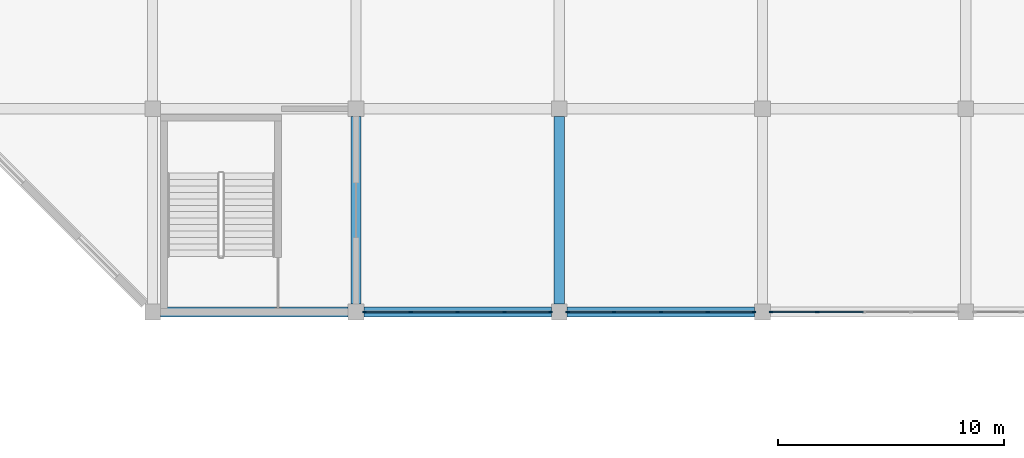
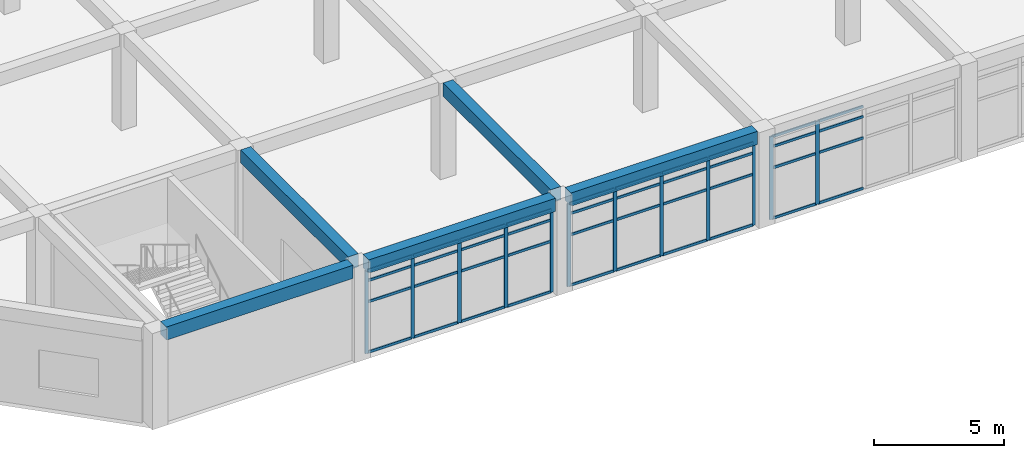
# One storey, part 10 of 42: 52 members, 5 beams, 3 elements without a shape of their own.
"""IFC4 building model written with IfcOpenShell, lengths in metres."""

from ifc_helpers import new_model, si_unit, direction, frame, origin, origin_2d, place, context, subcontext, project, spatial, rectangle, extrude, material, layer, layer_set, material_profile, profile_set, type_object, element, aggregate, save


model = new_model("IFC4")

# Units and contexts
model_context = context("Model", 3, precision=1e-05, world=origin(), true_north=direction((0.0, 1.0)))
body_context = subcontext(model_context, "Body", "Model", "MODEL_VIEW")
ifc_project = project(units=[si_unit("LENGTHUNIT", "METRE"), si_unit("AREAUNIT", "SQUARE_METRE"), si_unit("VOLUMEUNIT", "CUBIC_METRE"), si_unit("PLANEANGLEUNIT", "RADIAN"), si_unit("MASSUNIT", "GRAM", prefix="KILO")], contexts=[model_context])

# Site, building, storey
site_placement = place(None, origin())
site = spatial("IfcSite", under=ifc_project, at=site_placement, CompositionType="ELEMENT")
building_placement = place(site_placement, origin())
building = spatial("IfcBuilding", under=site, at=building_placement, Name="Dhurran Vertical Campus", CompositionType="ELEMENT")
storey_placement = place(building_placement, frame((0.0, 0.0, 6.0)))
storey = spatial("IfcBuildingStorey", under=building, at=storey_placement, Name="L01", CompositionType="ELEMENT", Elevation=6.0)

# Curtain wall, members
ifc_material_1 = material(Name="Aluminium", Category="aluminium")
ifc_layer = layer(ifc_material_1, 0.159912109375)
ifc_layer_set = layer_set([ifc_layer], Name="Aluminium")
curtain_wall_type = type_object("IfcCurtainWallType", Name="hl-curtain wall system", PredefinedType="NOTDEFINED", material=ifc_layer_set)
curtain_wall_1_placement = place(storey_placement, origin())
curtain_wall_1 = element("IfcCurtainWall", 1, at=curtain_wall_1_placement, inside=storey, type_object=curtain_wall_type, Name="Hall curtain wall L01-05", PredefinedType="NOTDEFINED")
ifc_material_2 = material(Name="Aluminium", Category="aluminium")
ifc_material_profile_1 = material_profile(ifc_material_2, rectangle(XDim=0.06005859375, YDim=0.159912109375, at=origin_2d()), Name="hl-cw mullion 60x160")
ifc_profile_set_1 = profile_set([ifc_material_profile_1], Name="Aluminium")
member_type_1 = type_object("IfcMemberType", Name="hl-cw mullion 60x160", PredefinedType="MULLION", material=ifc_profile_set_1)
member_1_placement = place(storey_placement, frame((79.8798828125, -27.0, 0.0), z_axis=(0.0, 0.0, 1.0), x_axis=(0.0, 1.0, 0.0)))
member_1 = element("IfcMember", 2, at=member_1_placement, type_object=member_type_1, Name="HCW mullion 1", PredefinedType="MULLION", context=body_context, shape_type="SweptSolid", body=[
    extrude(rectangle(XDim=0.06005859375, YDim=0.159912109375, at=origin_2d()), origin(), (0.0, 0.0, 1.0), 3.89990234375),
])
member_2_placement = place(storey_placement, frame((81.925048828125, -27.0, 0.0), z_axis=(0.0, 0.0, 1.0), x_axis=(0.0, 1.0, 0.0)))
member_2 = element("IfcMember", 3, at=member_2_placement, type_object=member_type_1, Name="HCW mullion 2", PredefinedType="MULLION", context=body_context, shape_type="SweptSolid", body=[
    extrude(rectangle(XDim=0.06005859375, YDim=0.159912109375, at=origin_2d()), origin(), (0.0, 0.0, 1.0), 3.89990234375),
])
member_3_placement = place(storey_placement, frame((84.0, -27.0, 0.0), z_axis=(0.0, 0.0, 1.0), x_axis=(0.0, 1.0, 0.0)))
member_3 = element("IfcMember", 4, at=member_3_placement, type_object=member_type_1, Name="HCW mullion 3", PredefinedType="MULLION", context=body_context, shape_type="SweptSolid", body=[
    extrude(rectangle(XDim=0.06005859375, YDim=0.159912109375, at=origin_2d()), origin(), (0.0, 0.0, 1.0), 3.89990234375),
])
member_4_placement = place(storey_placement, frame((86.074951171875, -27.0, 0.0), z_axis=(0.0, 0.0, 1.0), x_axis=(0.0, 1.0, 0.0)))
member_4 = element("IfcMember", 5, at=member_4_placement, type_object=member_type_1, Name="HCW mullion 4", PredefinedType="MULLION", context=body_context, shape_type="SweptSolid", body=[
    extrude(rectangle(XDim=0.06005859375, YDim=0.159912109375, at=origin_2d()), origin(), (0.0, 0.0, 1.0), 3.89990234375),
])
member_5_placement = place(storey_placement, frame((88.1201171875, -27.0, 0.0), z_axis=(0.0, 0.0, 1.0), x_axis=(0.0, 1.0, 0.0)))
member_5 = element("IfcMember", 6, at=member_5_placement, type_object=member_type_1, Name="HCW mullion 5", PredefinedType="MULLION", context=body_context, shape_type="SweptSolid", body=[
    extrude(rectangle(XDim=0.06005859375, YDim=0.159912109375, at=origin_2d()), origin(), (0.0, 0.0, 1.0), 3.89990234375),
])

curtain_wall_2_placement = place(storey_placement, origin())
curtain_wall_2 = element("IfcCurtainWall", 7, at=curtain_wall_2_placement, inside=storey, type_object=curtain_wall_type, Name="Hall curtain wall L01-06", PredefinedType="NOTDEFINED")
member_6_placement = place(storey_placement, frame((88.8798828125, -27.0, 0.0), z_axis=(0.0, 0.0, 1.0), x_axis=(0.0, 1.0, 0.0)))
member_6 = element("IfcMember", 8, at=member_6_placement, type_object=member_type_1, Name="HCW mullion 1", PredefinedType="MULLION", context=body_context, shape_type="SweptSolid", body=[
    extrude(rectangle(XDim=0.06005859375, YDim=0.159912109375, at=origin_2d()), origin(), (0.0, 0.0, 1.0), 3.89990234375),
])
member_7_placement = place(storey_placement, frame((90.925048828125, -27.0, 0.0), z_axis=(0.0, 0.0, 1.0), x_axis=(0.0, 1.0, 0.0)))
member_7 = element("IfcMember", 9, at=member_7_placement, type_object=member_type_1, Name="HCW mullion 2", PredefinedType="MULLION", context=body_context, shape_type="SweptSolid", body=[
    extrude(rectangle(XDim=0.06005859375, YDim=0.159912109375, at=origin_2d()), origin(), (0.0, 0.0, 1.0), 3.89990234375),
])
member_8_placement = place(storey_placement, frame((93.0, -27.0, 0.0), z_axis=(0.0, 0.0, 1.0), x_axis=(0.0, 1.0, 0.0)))
member_8 = element("IfcMember", 10, at=member_8_placement, type_object=member_type_1, Name="HCW mullion 3", PredefinedType="MULLION", context=body_context, shape_type="SweptSolid", body=[
    extrude(rectangle(XDim=0.06005859375, YDim=0.159912109375, at=origin_2d()), origin(), (0.0, 0.0, 1.0), 3.89990234375),
])
member_9_placement = place(storey_placement, frame((95.074951171875, -27.0, 0.0), z_axis=(0.0, 0.0, 1.0), x_axis=(0.0, 1.0, 0.0)))
member_9 = element("IfcMember", 11, at=member_9_placement, type_object=member_type_1, Name="HCW mullion 4", PredefinedType="MULLION", context=body_context, shape_type="SweptSolid", body=[
    extrude(rectangle(XDim=0.06005859375, YDim=0.159912109375, at=origin_2d()), origin(), (0.0, 0.0, 1.0), 3.89990234375),
])
member_10_placement = place(storey_placement, frame((97.1201171875, -27.0, 0.0), z_axis=(0.0, 0.0, 1.0), x_axis=(0.0, 1.0, 0.0)))
member_10 = element("IfcMember", 12, at=member_10_placement, type_object=member_type_1, Name="HCW mullion 5", PredefinedType="MULLION", context=body_context, shape_type="SweptSolid", body=[
    extrude(rectangle(XDim=0.06005859375, YDim=0.159912109375, at=origin_2d()), origin(), (0.0, 0.0, 1.0), 3.89990234375),
])

curtain_wall_3_placement = place(storey_placement, origin())
curtain_wall_3 = element("IfcCurtainWall", 13, at=curtain_wall_3_placement, inside=storey, type_object=curtain_wall_type, Name="Hall curtain wall L01-07", PredefinedType="NOTDEFINED")
member_11_placement = place(storey_placement, frame((97.8798828125, -27.0, 0.0), z_axis=(0.0, 0.0, 1.0), x_axis=(0.0, 1.0, 0.0)))
member_11 = element("IfcMember", 14, at=member_11_placement, type_object=member_type_1, Name="HCW mullion 1", PredefinedType="MULLION", context=body_context, shape_type="SweptSolid", body=[
    extrude(rectangle(XDim=0.06005859375, YDim=0.159912109375, at=origin_2d()), origin(), (0.0, 0.0, 1.0), 3.89990234375),
])
member_12_placement = place(storey_placement, frame((99.925048828125, -27.0, 0.0), z_axis=(0.0, 0.0, 1.0), x_axis=(0.0, 1.0, 0.0)))
member_12 = element("IfcMember", 15, at=member_12_placement, type_object=member_type_1, Name="HCW mullion 2", PredefinedType="MULLION", context=body_context, shape_type="SweptSolid", body=[
    extrude(rectangle(XDim=0.06005859375, YDim=0.159912109375, at=origin_2d()), origin(), (0.0, 0.0, 1.0), 3.89990234375),
])

# Member
ifc_material_3 = material(Name="Aluminium", Category="aluminium")
ifc_material_profile_2 = material_profile(ifc_material_3, rectangle(XDim=0.06005859375, YDim=0.1201171875, at=origin_2d()), Name="hl-cw transom 60x120")
ifc_profile_set_2 = profile_set([ifc_material_profile_2], Name="Aluminium")
member_type_2 = type_object("IfcMemberType", Name="hl-cw transom 60x120", PredefinedType="USERDEFINED", material=ifc_profile_set_2)
member_13_placement = place(storey_placement, frame((79.909912109375, -27.0, 0.030029296875), z_axis=(1.0, 0.0, 0.0), x_axis=(0.0, 1.0, 0.0)))
member_13 = element("IfcMember", 16, at=member_13_placement, type_object=member_type_2, Name="HCW transom 1.1", ObjectType="TRANSOM", PredefinedType="USERDEFINED", context=body_context, shape_type="SweptSolid", body=[
    extrude(rectangle(XDim=0.06005859375, YDim=0.1201171875, at=origin_2d()), origin(), (0.0, 0.0, 1.0), 1.985107421875),
])

member_14_placement = place(storey_placement, frame((79.909912109375, -27.0, 2.39990234375), z_axis=(1.0, 0.0, 0.0), x_axis=(0.0, 1.0, 0.0)))
member_14 = element("IfcMember", 17, at=member_14_placement, type_object=member_type_2, Name="HCW transom 1.2", ObjectType="TRANSOM", PredefinedType="USERDEFINED", context=body_context, shape_type="SweptSolid", body=[
    extrude(rectangle(XDim=0.06005859375, YDim=0.1201171875, at=origin_2d()), origin(), (0.0, 0.0, 1.0), 1.985107421875),
])

member_15_placement = place(storey_placement, frame((79.909912109375, -27.0, 3.39990234375), z_axis=(1.0, 0.0, 0.0), x_axis=(0.0, 1.0, 0.0)))
member_15 = element("IfcMember", 18, at=member_15_placement, type_object=member_type_2, Name="HCW transom 1.3", ObjectType="TRANSOM", PredefinedType="USERDEFINED", context=body_context, shape_type="SweptSolid", body=[
    extrude(rectangle(XDim=0.06005859375, YDim=0.1201171875, at=origin_2d()), origin(), (0.0, 0.0, 1.0), 1.985107421875),
])

member_16_placement = place(storey_placement, frame((79.909912109375, -27.0, 3.8701171875), z_axis=(1.0, 0.0, 0.0), x_axis=(0.0, 1.0, 0.0)))
member_16 = element("IfcMember", 19, at=member_16_placement, type_object=member_type_2, Name="HCW transom 1.4", ObjectType="TRANSOM", PredefinedType="USERDEFINED", context=body_context, shape_type="SweptSolid", body=[
    extrude(rectangle(XDim=0.06005859375, YDim=0.1201171875, at=origin_2d()), origin(), (0.0, 0.0, 1.0), 1.985107421875),
])

member_17_placement = place(storey_placement, frame((81.955078125, -27.0, 0.030029296875), z_axis=(1.0, 0.0, 0.0), x_axis=(0.0, 1.0, 0.0)))
member_17 = element("IfcMember", 20, at=member_17_placement, type_object=member_type_2, Name="HCW transom 2.1", ObjectType="TRANSOM", PredefinedType="USERDEFINED", context=body_context, shape_type="SweptSolid", body=[
    extrude(rectangle(XDim=0.06005859375, YDim=0.1201171875, at=origin_2d()), origin(), (0.0, 0.0, 1.0), 2.014892578125),
])

member_18_placement = place(storey_placement, frame((81.955078125, -27.0, 2.39990234375), z_axis=(1.0, 0.0, 0.0), x_axis=(0.0, 1.0, 0.0)))
member_18 = element("IfcMember", 21, at=member_18_placement, type_object=member_type_2, Name="HCW transom 2.2", ObjectType="TRANSOM", PredefinedType="USERDEFINED", context=body_context, shape_type="SweptSolid", body=[
    extrude(rectangle(XDim=0.06005859375, YDim=0.1201171875, at=origin_2d()), origin(), (0.0, 0.0, 1.0), 2.014892578125),
])

member_19_placement = place(storey_placement, frame((81.955078125, -27.0, 3.39990234375), z_axis=(1.0, 0.0, 0.0), x_axis=(0.0, 1.0, 0.0)))
member_19 = element("IfcMember", 22, at=member_19_placement, type_object=member_type_2, Name="HCW transom 2.3", ObjectType="TRANSOM", PredefinedType="USERDEFINED", context=body_context, shape_type="SweptSolid", body=[
    extrude(rectangle(XDim=0.06005859375, YDim=0.1201171875, at=origin_2d()), origin(), (0.0, 0.0, 1.0), 2.014892578125),
])

member_20_placement = place(storey_placement, frame((81.955078125, -27.0, 3.8701171875), z_axis=(1.0, 0.0, 0.0), x_axis=(0.0, 1.0, 0.0)))
member_20 = element("IfcMember", 23, at=member_20_placement, type_object=member_type_2, Name="HCW transom 2.4", ObjectType="TRANSOM", PredefinedType="USERDEFINED", context=body_context, shape_type="SweptSolid", body=[
    extrude(rectangle(XDim=0.06005859375, YDim=0.1201171875, at=origin_2d()), origin(), (0.0, 0.0, 1.0), 2.014892578125),
])

member_21_placement = place(storey_placement, frame((84.030029296875, -27.0, 0.030029296875), z_axis=(1.0, 0.0, 0.0), x_axis=(0.0, 1.0, 0.0)))
member_21 = element("IfcMember", 24, at=member_21_placement, type_object=member_type_2, Name="HCW transom 3.1", ObjectType="TRANSOM", PredefinedType="USERDEFINED", context=body_context, shape_type="SweptSolid", body=[
    extrude(rectangle(XDim=0.06005859375, YDim=0.1201171875, at=origin_2d()), origin(), (0.0, 0.0, 1.0), 2.014892578125),
])

member_22_placement = place(storey_placement, frame((84.030029296875, -27.0, 2.39990234375), z_axis=(1.0, 0.0, 0.0), x_axis=(0.0, 1.0, 0.0)))
member_22 = element("IfcMember", 25, at=member_22_placement, type_object=member_type_2, Name="HCW transom 3.2", ObjectType="TRANSOM", PredefinedType="USERDEFINED", context=body_context, shape_type="SweptSolid", body=[
    extrude(rectangle(XDim=0.06005859375, YDim=0.1201171875, at=origin_2d()), origin(), (0.0, 0.0, 1.0), 2.014892578125),
])

member_23_placement = place(storey_placement, frame((84.030029296875, -27.0, 3.39990234375), z_axis=(1.0, 0.0, 0.0), x_axis=(0.0, 1.0, 0.0)))
member_23 = element("IfcMember", 26, at=member_23_placement, type_object=member_type_2, Name="HCW transom 3.3", ObjectType="TRANSOM", PredefinedType="USERDEFINED", context=body_context, shape_type="SweptSolid", body=[
    extrude(rectangle(XDim=0.06005859375, YDim=0.1201171875, at=origin_2d()), origin(), (0.0, 0.0, 1.0), 2.014892578125),
])

member_24_placement = place(storey_placement, frame((84.030029296875, -27.0, 3.8701171875), z_axis=(1.0, 0.0, 0.0), x_axis=(0.0, 1.0, 0.0)))
member_24 = element("IfcMember", 27, at=member_24_placement, type_object=member_type_2, Name="HCW transom 3.4", ObjectType="TRANSOM", PredefinedType="USERDEFINED", context=body_context, shape_type="SweptSolid", body=[
    extrude(rectangle(XDim=0.06005859375, YDim=0.1201171875, at=origin_2d()), origin(), (0.0, 0.0, 1.0), 2.014892578125),
])

member_25_placement = place(storey_placement, frame((86.10498046875, -27.0, 0.030029296875), z_axis=(1.0, 0.0, 0.0), x_axis=(0.0, 1.0, 0.0)))
member_25 = element("IfcMember", 28, at=member_25_placement, type_object=member_type_2, Name="HCW transom 4.1", ObjectType="TRANSOM", PredefinedType="USERDEFINED", context=body_context, shape_type="SweptSolid", body=[
    extrude(rectangle(XDim=0.06005859375, YDim=0.1201171875, at=origin_2d()), origin(), (0.0, 0.0, 1.0), 1.985107421875),
])

member_26_placement = place(storey_placement, frame((86.10498046875, -27.0, 2.39990234375), z_axis=(1.0, 0.0, 0.0), x_axis=(0.0, 1.0, 0.0)))
member_26 = element("IfcMember", 29, at=member_26_placement, type_object=member_type_2, Name="HCW transom 4.2", ObjectType="TRANSOM", PredefinedType="USERDEFINED", context=body_context, shape_type="SweptSolid", body=[
    extrude(rectangle(XDim=0.06005859375, YDim=0.1201171875, at=origin_2d()), origin(), (0.0, 0.0, 1.0), 1.985107421875),
])

member_27_placement = place(storey_placement, frame((86.10498046875, -27.0, 3.39990234375), z_axis=(1.0, 0.0, 0.0), x_axis=(0.0, 1.0, 0.0)))
member_27 = element("IfcMember", 30, at=member_27_placement, type_object=member_type_2, Name="HCW transom 4.3", ObjectType="TRANSOM", PredefinedType="USERDEFINED", context=body_context, shape_type="SweptSolid", body=[
    extrude(rectangle(XDim=0.06005859375, YDim=0.1201171875, at=origin_2d()), origin(), (0.0, 0.0, 1.0), 1.985107421875),
])

member_28_placement = place(storey_placement, frame((86.10498046875, -27.0, 3.8701171875), z_axis=(1.0, 0.0, 0.0), x_axis=(0.0, 1.0, 0.0)))
member_28 = element("IfcMember", 31, at=member_28_placement, type_object=member_type_2, Name="HCW transom 4.4", ObjectType="TRANSOM", PredefinedType="USERDEFINED", context=body_context, shape_type="SweptSolid", body=[
    extrude(rectangle(XDim=0.06005859375, YDim=0.1201171875, at=origin_2d()), origin(), (0.0, 0.0, 1.0), 1.985107421875),
])

aggregate(curtain_wall_1, [member_1, member_2, member_3, member_4, member_5, member_13, member_14, member_15, member_16, member_17, member_18, member_19, member_20, member_21, member_22, member_23, member_24, member_25, member_26, member_27, member_28])

member_29_placement = place(storey_placement, frame((88.909912109375, -27.0, 0.030029296875), z_axis=(1.0, 0.0, 0.0), x_axis=(0.0, 1.0, 0.0)))
member_29 = element("IfcMember", 32, at=member_29_placement, type_object=member_type_2, Name="HCW transom 1.1", ObjectType="TRANSOM", PredefinedType="USERDEFINED", context=body_context, shape_type="SweptSolid", body=[
    extrude(rectangle(XDim=0.06005859375, YDim=0.1201171875, at=origin_2d()), origin(), (0.0, 0.0, 1.0), 1.985107421875),
])

member_30_placement = place(storey_placement, frame((88.909912109375, -27.0, 2.39990234375), z_axis=(1.0, 0.0, 0.0), x_axis=(0.0, 1.0, 0.0)))
member_30 = element("IfcMember", 33, at=member_30_placement, type_object=member_type_2, Name="HCW transom 1.2", ObjectType="TRANSOM", PredefinedType="USERDEFINED", context=body_context, shape_type="SweptSolid", body=[
    extrude(rectangle(XDim=0.06005859375, YDim=0.1201171875, at=origin_2d()), origin(), (0.0, 0.0, 1.0), 1.985107421875),
])

member_31_placement = place(storey_placement, frame((88.909912109375, -27.0, 3.39990234375), z_axis=(1.0, 0.0, 0.0), x_axis=(0.0, 1.0, 0.0)))
member_31 = element("IfcMember", 34, at=member_31_placement, type_object=member_type_2, Name="HCW transom 1.3", ObjectType="TRANSOM", PredefinedType="USERDEFINED", context=body_context, shape_type="SweptSolid", body=[
    extrude(rectangle(XDim=0.06005859375, YDim=0.1201171875, at=origin_2d()), origin(), (0.0, 0.0, 1.0), 1.985107421875),
])

member_32_placement = place(storey_placement, frame((88.909912109375, -27.0, 3.8701171875), z_axis=(1.0, 0.0, 0.0), x_axis=(0.0, 1.0, 0.0)))
member_32 = element("IfcMember", 35, at=member_32_placement, type_object=member_type_2, Name="HCW transom 1.4", ObjectType="TRANSOM", PredefinedType="USERDEFINED", context=body_context, shape_type="SweptSolid", body=[
    extrude(rectangle(XDim=0.06005859375, YDim=0.1201171875, at=origin_2d()), origin(), (0.0, 0.0, 1.0), 1.985107421875),
])

member_33_placement = place(storey_placement, frame((90.955078125, -27.0, 0.030029296875), z_axis=(1.0, 0.0, 0.0), x_axis=(0.0, 1.0, 0.0)))
member_33 = element("IfcMember", 36, at=member_33_placement, type_object=member_type_2, Name="HCW transom 2.1", ObjectType="TRANSOM", PredefinedType="USERDEFINED", context=body_context, shape_type="SweptSolid", body=[
    extrude(rectangle(XDim=0.06005859375, YDim=0.1201171875, at=origin_2d()), origin(), (0.0, 0.0, 1.0), 2.014892578125),
])

member_34_placement = place(storey_placement, frame((90.955078125, -27.0, 2.39990234375), z_axis=(1.0, 0.0, 0.0), x_axis=(0.0, 1.0, 0.0)))
member_34 = element("IfcMember", 37, at=member_34_placement, type_object=member_type_2, Name="HCW transom 2.2", ObjectType="TRANSOM", PredefinedType="USERDEFINED", context=body_context, shape_type="SweptSolid", body=[
    extrude(rectangle(XDim=0.06005859375, YDim=0.1201171875, at=origin_2d()), origin(), (0.0, 0.0, 1.0), 2.014892578125),
])

member_35_placement = place(storey_placement, frame((90.955078125, -27.0, 3.39990234375), z_axis=(1.0, 0.0, 0.0), x_axis=(0.0, 1.0, 0.0)))
member_35 = element("IfcMember", 38, at=member_35_placement, type_object=member_type_2, Name="HCW transom 2.3", ObjectType="TRANSOM", PredefinedType="USERDEFINED", context=body_context, shape_type="SweptSolid", body=[
    extrude(rectangle(XDim=0.06005859375, YDim=0.1201171875, at=origin_2d()), origin(), (0.0, 0.0, 1.0), 2.014892578125),
])

member_36_placement = place(storey_placement, frame((90.955078125, -27.0, 3.8701171875), z_axis=(1.0, 0.0, 0.0), x_axis=(0.0, 1.0, 0.0)))
member_36 = element("IfcMember", 39, at=member_36_placement, type_object=member_type_2, Name="HCW transom 2.4", ObjectType="TRANSOM", PredefinedType="USERDEFINED", context=body_context, shape_type="SweptSolid", body=[
    extrude(rectangle(XDim=0.06005859375, YDim=0.1201171875, at=origin_2d()), origin(), (0.0, 0.0, 1.0), 2.014892578125),
])

member_37_placement = place(storey_placement, frame((93.030029296875, -27.0, 0.030029296875), z_axis=(1.0, 0.0, 0.0), x_axis=(0.0, 1.0, 0.0)))
member_37 = element("IfcMember", 40, at=member_37_placement, type_object=member_type_2, Name="HCW transom 3.1", ObjectType="TRANSOM", PredefinedType="USERDEFINED", context=body_context, shape_type="SweptSolid", body=[
    extrude(rectangle(XDim=0.06005859375, YDim=0.1201171875, at=origin_2d()), origin(), (0.0, 0.0, 1.0), 2.014892578125),
])

member_38_placement = place(storey_placement, frame((93.030029296875, -27.0, 2.39990234375), z_axis=(1.0, 0.0, 0.0), x_axis=(0.0, 1.0, 0.0)))
member_38 = element("IfcMember", 41, at=member_38_placement, type_object=member_type_2, Name="HCW transom 3.2", ObjectType="TRANSOM", PredefinedType="USERDEFINED", context=body_context, shape_type="SweptSolid", body=[
    extrude(rectangle(XDim=0.06005859375, YDim=0.1201171875, at=origin_2d()), origin(), (0.0, 0.0, 1.0), 2.014892578125),
])

member_39_placement = place(storey_placement, frame((93.030029296875, -27.0, 3.39990234375), z_axis=(1.0, 0.0, 0.0), x_axis=(0.0, 1.0, 0.0)))
member_39 = element("IfcMember", 42, at=member_39_placement, type_object=member_type_2, Name="HCW transom 3.3", ObjectType="TRANSOM", PredefinedType="USERDEFINED", context=body_context, shape_type="SweptSolid", body=[
    extrude(rectangle(XDim=0.06005859375, YDim=0.1201171875, at=origin_2d()), origin(), (0.0, 0.0, 1.0), 2.014892578125),
])

member_40_placement = place(storey_placement, frame((93.030029296875, -27.0, 3.8701171875), z_axis=(1.0, 0.0, 0.0), x_axis=(0.0, 1.0, 0.0)))
member_40 = element("IfcMember", 43, at=member_40_placement, type_object=member_type_2, Name="HCW transom 3.4", ObjectType="TRANSOM", PredefinedType="USERDEFINED", context=body_context, shape_type="SweptSolid", body=[
    extrude(rectangle(XDim=0.06005859375, YDim=0.1201171875, at=origin_2d()), origin(), (0.0, 0.0, 1.0), 2.014892578125),
])

member_41_placement = place(storey_placement, frame((95.10498046875, -27.0, 0.030029296875), z_axis=(1.0, 0.0, 0.0), x_axis=(0.0, 1.0, 0.0)))
member_41 = element("IfcMember", 44, at=member_41_placement, type_object=member_type_2, Name="HCW transom 4.1", ObjectType="TRANSOM", PredefinedType="USERDEFINED", context=body_context, shape_type="SweptSolid", body=[
    extrude(rectangle(XDim=0.06005859375, YDim=0.1201171875, at=origin_2d()), origin(), (0.0, 0.0, 1.0), 1.985107421875),
])

member_42_placement = place(storey_placement, frame((95.10498046875, -27.0, 2.39990234375), z_axis=(1.0, 0.0, 0.0), x_axis=(0.0, 1.0, 0.0)))
member_42 = element("IfcMember", 45, at=member_42_placement, type_object=member_type_2, Name="HCW transom 4.2", ObjectType="TRANSOM", PredefinedType="USERDEFINED", context=body_context, shape_type="SweptSolid", body=[
    extrude(rectangle(XDim=0.06005859375, YDim=0.1201171875, at=origin_2d()), origin(), (0.0, 0.0, 1.0), 1.985107421875),
])

member_43_placement = place(storey_placement, frame((95.10498046875, -27.0, 3.39990234375), z_axis=(1.0, 0.0, 0.0), x_axis=(0.0, 1.0, 0.0)))
member_43 = element("IfcMember", 46, at=member_43_placement, type_object=member_type_2, Name="HCW transom 4.3", ObjectType="TRANSOM", PredefinedType="USERDEFINED", context=body_context, shape_type="SweptSolid", body=[
    extrude(rectangle(XDim=0.06005859375, YDim=0.1201171875, at=origin_2d()), origin(), (0.0, 0.0, 1.0), 1.985107421875),
])

member_44_placement = place(storey_placement, frame((95.10498046875, -27.0, 3.8701171875), z_axis=(1.0, 0.0, 0.0), x_axis=(0.0, 1.0, 0.0)))
member_44 = element("IfcMember", 47, at=member_44_placement, type_object=member_type_2, Name="HCW transom 4.4", ObjectType="TRANSOM", PredefinedType="USERDEFINED", context=body_context, shape_type="SweptSolid", body=[
    extrude(rectangle(XDim=0.06005859375, YDim=0.1201171875, at=origin_2d()), origin(), (0.0, 0.0, 1.0), 1.985107421875),
])

aggregate(curtain_wall_2, [member_6, member_7, member_8, member_9, member_10, member_29, member_30, member_31, member_32, member_33, member_34, member_35, member_36, member_37, member_38, member_39, member_40, member_41, member_42, member_43, member_44])

member_45_placement = place(storey_placement, frame((97.909912109375, -27.0, 0.030029296875), z_axis=(1.0, 0.0, 0.0), x_axis=(0.0, 1.0, 0.0)))
member_45 = element("IfcMember", 48, at=member_45_placement, type_object=member_type_2, Name="HCW transom 1.1", ObjectType="TRANSOM", PredefinedType="USERDEFINED", context=body_context, shape_type="SweptSolid", body=[
    extrude(rectangle(XDim=0.06005859375, YDim=0.1201171875, at=origin_2d()), origin(), (0.0, 0.0, 1.0), 1.985107421875),
])

member_46_placement = place(storey_placement, frame((97.909912109375, -27.0, 2.39990234375), z_axis=(1.0, 0.0, 0.0), x_axis=(0.0, 1.0, 0.0)))
member_46 = element("IfcMember", 49, at=member_46_placement, type_object=member_type_2, Name="HCW transom 1.2", ObjectType="TRANSOM", PredefinedType="USERDEFINED", context=body_context, shape_type="SweptSolid", body=[
    extrude(rectangle(XDim=0.06005859375, YDim=0.1201171875, at=origin_2d()), origin(), (0.0, 0.0, 1.0), 1.985107421875),
])

member_47_placement = place(storey_placement, frame((97.909912109375, -27.0, 3.39990234375), z_axis=(1.0, 0.0, 0.0), x_axis=(0.0, 1.0, 0.0)))
member_47 = element("IfcMember", 50, at=member_47_placement, type_object=member_type_2, Name="HCW transom 1.3", ObjectType="TRANSOM", PredefinedType="USERDEFINED", context=body_context, shape_type="SweptSolid", body=[
    extrude(rectangle(XDim=0.06005859375, YDim=0.1201171875, at=origin_2d()), origin(), (0.0, 0.0, 1.0), 1.985107421875),
])

member_48_placement = place(storey_placement, frame((97.909912109375, -27.0, 3.8701171875), z_axis=(1.0, 0.0, 0.0), x_axis=(0.0, 1.0, 0.0)))
member_48 = element("IfcMember", 51, at=member_48_placement, type_object=member_type_2, Name="HCW transom 1.4", ObjectType="TRANSOM", PredefinedType="USERDEFINED", context=body_context, shape_type="SweptSolid", body=[
    extrude(rectangle(XDim=0.06005859375, YDim=0.1201171875, at=origin_2d()), origin(), (0.0, 0.0, 1.0), 1.985107421875),
])

member_49_placement = place(storey_placement, frame((99.955078125, -27.0, 0.030029296875), z_axis=(1.0, 0.0, 0.0), x_axis=(0.0, 1.0, 0.0)))
member_49 = element("IfcMember", 52, at=member_49_placement, type_object=member_type_2, Name="HCW transom 2.1", ObjectType="TRANSOM", PredefinedType="USERDEFINED", context=body_context, shape_type="SweptSolid", body=[
    extrude(rectangle(XDim=0.06005859375, YDim=0.1201171875, at=origin_2d()), origin(), (0.0, 0.0, 1.0), 2.014892578125),
])

member_50_placement = place(storey_placement, frame((99.955078125, -27.0, 2.39990234375), z_axis=(1.0, 0.0, 0.0), x_axis=(0.0, 1.0, 0.0)))
member_50 = element("IfcMember", 53, at=member_50_placement, type_object=member_type_2, Name="HCW transom 2.2", ObjectType="TRANSOM", PredefinedType="USERDEFINED", context=body_context, shape_type="SweptSolid", body=[
    extrude(rectangle(XDim=0.06005859375, YDim=0.1201171875, at=origin_2d()), origin(), (0.0, 0.0, 1.0), 2.014892578125),
])

member_51_placement = place(storey_placement, frame((99.955078125, -27.0, 3.39990234375), z_axis=(1.0, 0.0, 0.0), x_axis=(0.0, 1.0, 0.0)))
member_51 = element("IfcMember", 54, at=member_51_placement, type_object=member_type_2, Name="HCW transom 2.3", ObjectType="TRANSOM", PredefinedType="USERDEFINED", context=body_context, shape_type="SweptSolid", body=[
    extrude(rectangle(XDim=0.06005859375, YDim=0.1201171875, at=origin_2d()), origin(), (0.0, 0.0, 1.0), 2.014892578125),
])

member_52_placement = place(storey_placement, frame((99.955078125, -27.0, 3.8701171875), z_axis=(1.0, 0.0, 0.0), x_axis=(0.0, 1.0, 0.0)))
member_52 = element("IfcMember", 55, at=member_52_placement, type_object=member_type_2, Name="HCW transom 2.4", ObjectType="TRANSOM", PredefinedType="USERDEFINED", context=body_context, shape_type="SweptSolid", body=[
    extrude(rectangle(XDim=0.06005859375, YDim=0.1201171875, at=origin_2d()), origin(), (0.0, 0.0, 1.0), 2.014892578125),
])

aggregate(curtain_wall_3, [member_11, member_12, member_45, member_46, member_47, member_48, member_49, member_50, member_51, member_52])

# Beams
ifc_material_4 = material(Name="Concrete C40/50", Category="concrete")
ifc_material_profile_3 = material_profile(ifc_material_4, rectangle(XDim=0.449951171875, YDim=0.6201171875, at=origin_2d()), Name="hl-girder 450x620")
ifc_profile_set_3 = profile_set([ifc_material_profile_3], Name="Concrete C40/50")
beam_type = type_object("IfcBeamType", Name="hl-girder 450x620", PredefinedType="BEAM", material=ifc_profile_set_3)
for number, where, z_axis, x_axis, name in (
    (56, (70.85009765625, -27.0, 4.2099609375), (1.0, 0.0, 0.0), (0.0, 1.0, 0.0), "Hall girder L01-012"),
    (57, (79.5, -26.64990234375, 4.2099609375), (0.0, 1.0, 0.0), (-1.0, 0.0, 0.0), "Hall girder L01-025"),
    (58, (79.85009765625, -27.0, 4.2099609375), (1.0, 0.0, 0.0), (0.0, 1.0, 0.0), "Hall girder L01-026"),
    (59, (88.5, -26.64990234375, 4.2099609375), (0.0, 1.0, 0.0), (-1.0, 0.0, 0.0), "Hall girder L01-038"),
    (60, (88.85009765625, -27.0, 4.2099609375), (1.0, 0.0, 0.0), (0.0, 1.0, 0.0), "Hall girder L01-039"),
):
    element("IfcBeam", number, at=place(storey_placement, frame(where, z_axis=z_axis, x_axis=x_axis)), inside=storey, type_object=beam_type, Name=name, PredefinedType="BEAM", context=body_context, shape_type="SweptSolid", body=[
        extrude(rectangle(XDim=0.449951171875, YDim=0.6201171875, at=origin_2d()), origin(), (0.0, 0.0, 1.0), 8.2998046875),
    ])

save(model, "model.ifc")
